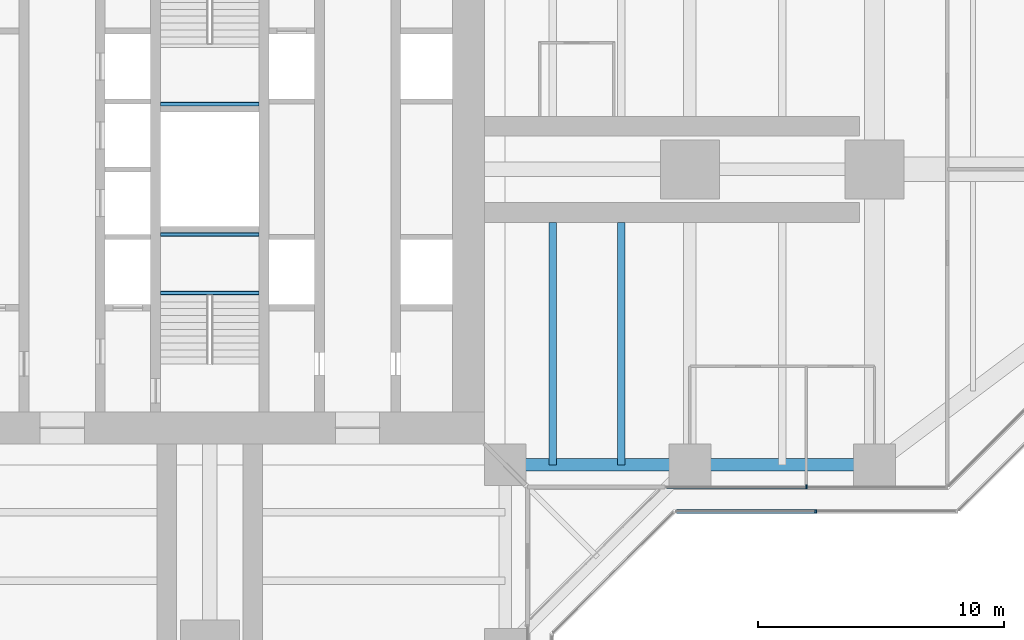
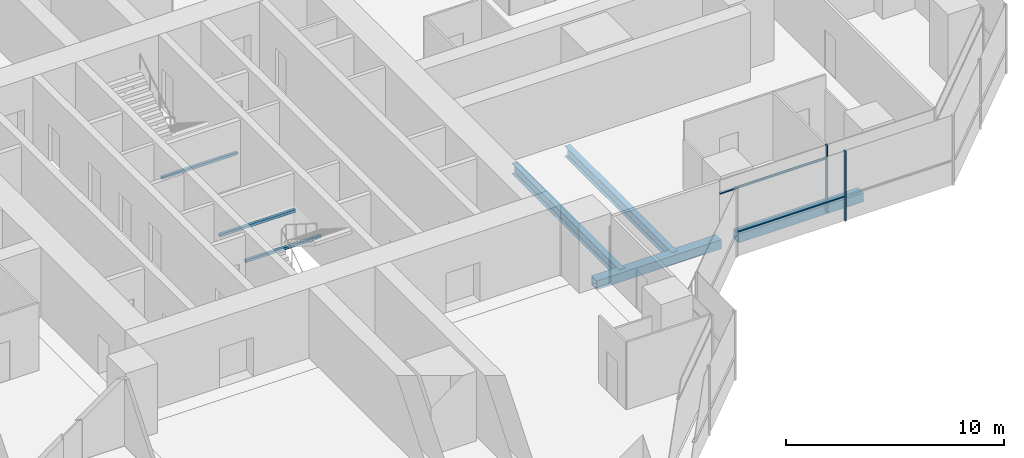
# One storey, part 5 of 20: 7 beams, 4 members, 2 elements without a shape of their own.
"""IFC4 building model written with IfcOpenShell, lengths in metres."""

from ifc_helpers import new_model, si_unit, direction, frame, origin, origin_2d, place, context, subcontext, project, spatial, rectangle, hollow_rectangle, i_section, extrude, material, material_profile, profile_set, type_object, element, aggregate, save


model = new_model("IFC4")

# Units and contexts
model_context = context("Model", 3, precision=1e-05, world=origin(), true_north=direction((0.0, 1.0)))
body_context = subcontext(model_context, "Body", "Model", "MODEL_VIEW")
ifc_project = project(units=[si_unit("LENGTHUNIT", "METRE"), si_unit("AREAUNIT", "SQUARE_METRE"), si_unit("VOLUMEUNIT", "CUBIC_METRE"), si_unit("PLANEANGLEUNIT", "RADIAN"), si_unit("MASSUNIT", "GRAM", prefix="KILO")], contexts=[model_context])

# Site, building, storey
site_placement = place(None, origin())
site = spatial("IfcSite", under=ifc_project, at=site_placement, CompositionType="ELEMENT")
building_placement = place(site_placement, origin())
building = spatial("IfcBuilding", under=site, at=building_placement, Name="Mizan Broadcast Tower", CompositionType="ELEMENT")
storey_placement = place(building_placement, frame((0.0, 0.0, 147.60009765625)))
storey = spatial("IfcBuildingStorey", under=building, at=storey_placement, Name="L33", CompositionType="ELEMENT", Elevation=147.60009765625)

# Beams
ifc_material_1 = material(Name="Steel S355", Category="steel")
ifc_material_profile_1 = material_profile(ifc_material_1, hollow_rectangle(XDim=0.5, YDim=0.5, WallThickness=0.030029296875, at=origin_2d()), Name="BOX 500x500x30")
ifc_profile_set_1 = profile_set([ifc_material_profile_1], Name="Steel S355")
beam_type_1 = type_object("IfcBeamType", Name="EDGE BEAM BOX 500x500x30", PredefinedType="SPANDREL", material=ifc_profile_set_1)
for number, where, z_axis, x_axis, name in (
    (1, (12.449951171875, -12.0, -0.380126953125), (1.0, 0.0, 0.0), (0.0, 1.0, 0.0), "Edge beam BOX 500x500x30 L33 east arm"),
    (2, (19.949951171875, -12.0, -0.380126953125), (1.0, 0.0, 0.0), (0.0, 1.0, 0.0), "Edge beam BOX 500x500x30 L33 east arm"),
):
    element("IfcBeam", number, at=place(storey_placement, frame(where, z_axis=z_axis, x_axis=x_axis)), inside=storey, type_object=beam_type_1, Name=name, PredefinedType="SPANDREL", context=body_context, shape_type="SweptSolid", body=[
        extrude(hollow_rectangle(XDim=0.5, YDim=0.5, WallThickness=0.030029296875, at=origin_2d()), origin(), (0.0, 0.0, 1.0), 6.60009765625),
    ])

# Curtain wall, members
ifc_material_2 = material(Name="Aluminium framed glazing", Category="aluminium")
curtain_wall_type_1 = type_object("IfcCurtainWallType", Name="INNER SKIN MID ZONE", PredefinedType="USERDEFINED", material=ifc_material_2)
curtain_wall_1_placement = place(storey_placement, origin())
curtain_wall_1 = element("IfcCurtainWall", 3, at=curtain_wall_1_placement, inside=storey, type_object=curtain_wall_type_1, Name="Inner skin mid zone L33 E side", ObjectType="INNER SKIN MID ZONE", PredefinedType="USERDEFINED")
ifc_material_3 = material(Name="Aluminium, pale anodised", Category="aluminium")
ifc_material_profile_2 = material_profile(ifc_material_3, rectangle(XDim=0.159912109375, YDim=0.06005859375, at=origin_2d()), Name="MULLION 160x60")
ifc_profile_set_2 = profile_set([ifc_material_profile_2], Name="Aluminium, pale anodised")
member_type_1 = type_object("IfcMemberType", Name="INNER SKIN MULLION 60x160", PredefinedType="MULLION", material=ifc_profile_set_2)
member_1_placement = place(storey_placement, frame((24.229248046875, -12.89990234375, 0.0), z_axis=(0.0, 0.0, 1.0), x_axis=(0.0, 1.0, 0.0)))
member_1 = element("IfcMember", 4, at=member_1_placement, type_object=member_type_1, Name="Inner skin mid zone L33 E side mullion 2", PredefinedType="MULLION", context=body_context, shape_type="SweptSolid", body=[
    extrude(rectangle(XDim=0.159912109375, YDim=0.06005859375, at=origin_2d()), origin(), (0.0, 0.0, 1.0), 3.77001953125),
])
ifc_material_4 = material(Name="Aluminium, pale anodised", Category="aluminium")
ifc_material_profile_3 = material_profile(ifc_material_4, rectangle(XDim=0.1201171875, YDim=0.06005859375, at=origin_2d()), Name="TRANSOM 120x60")
ifc_profile_set_3 = profile_set([ifc_material_profile_3], Name="Aluminium, pale anodised")
member_type_2 = type_object("IfcMemberType", Name="INNER SKIN TRANSOM 60x120", PredefinedType="USERDEFINED", material=ifc_profile_set_3)
member_2_placement = place(storey_placement, frame((18.56005859375, -12.89990234375, 3.02978515625), z_axis=(1.0, 0.0, 0.0), x_axis=(0.0, 1.0, 0.0)))
member_2 = element("IfcMember", 5, at=member_2_placement, type_object=member_type_2, Name="Inner skin mid zone L33 E side transom 1.1", ObjectType="TRANSOM", PredefinedType="USERDEFINED", context=body_context, shape_type="SweptSolid", body=[
    extrude(rectangle(XDim=0.1201171875, YDim=0.06005859375, at=origin_2d()), origin(), (0.0, 0.0, 1.0), 5.63916015625),
])
aggregate(curtain_wall_1, [member_1, member_2])

# Beams
ifc_material_5 = material(Name="Steel S355", Category="steel")
ifc_material_profile_4 = material_profile(ifc_material_5, hollow_rectangle(XDim=0.14990234375, YDim=0.14990234375, WallThickness=0.008056640625, InnerFilletRadius=0.008056640625, OuterFilletRadius=0.011962890625, at=origin_2d()), Name="SHS 150x150x8")
ifc_profile_set_4 = profile_set([ifc_material_profile_4], Name="Steel S355")
beam_type_2 = type_object("IfcBeamType", Name="LANDING TRIMMER SHS 150x150x8", PredefinedType="BEAM", material=ifc_profile_set_4)
for number, where, z_axis, x_axis, name in (
    (6, (-2.0, -5.02490234375, 1.6748046875), (1.0, 0.0, 0.0), (0.0, 1.0, 0.0), "Stair A landing trimmer L33"),
    (7, (-2.0, -2.64990234375, 1.6748046875), (1.0, 0.0, 0.0), (0.0, 1.0, 0.0), "Stair A landing trimmer L33"),
    (8, (2.0, 2.64990234375, 1.6748046875), (-1.0, 0.0, 0.0), (0.0, -1.0, 0.0), "Stair B landing trimmer L33"),
):
    element("IfcBeam", number, at=place(storey_placement, frame(where, z_axis=z_axis, x_axis=x_axis)), inside=storey, type_object=beam_type_2, Name=name, PredefinedType="BEAM", context=body_context, shape_type="SweptSolid", body=[
        extrude(hollow_rectangle(XDim=0.14990234375, YDim=0.14990234375, WallThickness=0.008056640625, InnerFilletRadius=0.008056640625, OuterFilletRadius=0.011962890625, at=origin_2d()), origin(), (0.0, 0.0, 1.0), 4.0),
    ])

# Curtain wall, members
ifc_material_6 = material(Name="Aluminium framed glazing", Category="aluminium")
curtain_wall_type_2 = type_object("IfcCurtainWallType", Name="OUTER SKIN", PredefinedType="USERDEFINED", material=ifc_material_6)
curtain_wall_2_placement = place(storey_placement, origin())
curtain_wall_2 = element("IfcCurtainWall", 9, at=curtain_wall_2_placement, inside=storey, type_object=curtain_wall_type_2, Name="Outer skin L33 E side", ObjectType="OUTER SKIN", PredefinedType="USERDEFINED")
ifc_material_7 = material(Name="Aluminium, pale anodised", Category="aluminium")
ifc_material_profile_5 = material_profile(ifc_material_7, rectangle(XDim=0.159912109375, YDim=0.080078125, at=origin_2d()), Name="MULLION 160x80")
ifc_profile_set_5 = profile_set([ifc_material_profile_5], Name="Aluminium, pale anodised")
member_type_3 = type_object("IfcMemberType", Name="OUTER SKIN MULLION 80x160", PredefinedType="MULLION", material=ifc_profile_set_5)
member_3_placement = place(storey_placement, frame((24.622802734375, -13.89990234375, 0.0), z_axis=(0.0, 0.0, 1.0), x_axis=(0.0, 1.0, 0.0)))
member_3 = element("IfcMember", 10, at=member_3_placement, type_object=member_type_3, Name="Outer skin L33 E side mullion 2", PredefinedType="MULLION", context=body_context, shape_type="SweptSolid", body=[
    extrude(rectangle(XDim=0.159912109375, YDim=0.080078125, at=origin_2d()), origin(), (0.0, 0.0, 1.0), 3.89990234375),
])
ifc_material_8 = material(Name="Aluminium, pale anodised", Category="aluminium")
ifc_material_profile_6 = material_profile(ifc_material_8, rectangle(XDim=0.159912109375, YDim=0.06005859375, at=origin_2d()), Name="TRANSOM 160x60")
ifc_profile_set_6 = profile_set([ifc_material_profile_6], Name="Aluminium, pale anodised")
member_type_4 = type_object("IfcMemberType", Name="OUTER SKIN TRANSOM 60x160", PredefinedType="USERDEFINED", material=ifc_profile_set_6)
member_4_placement = place(storey_placement, frame((18.952880859375, -13.89990234375, 1.39990234375), z_axis=(1.0, 0.0, 0.0), x_axis=(0.0, 1.0, 0.0)))
member_4 = element("IfcMember", 11, at=member_4_placement, type_object=member_type_4, Name="Outer skin L33 E side transom 1.1", ObjectType="TRANSOM", PredefinedType="USERDEFINED", context=body_context, shape_type="SweptSolid", body=[
    extrude(rectangle(XDim=0.159912109375, YDim=0.06005859375, at=origin_2d()), origin(), (0.0, 0.0, 1.0), 5.6298828125),
])
aggregate(curtain_wall_2, [member_3, member_4])

# Beams
ifc_material_9 = material(Name="Steel S355", Category="steel")
ifc_material_profile_7 = material_profile(ifc_material_9, i_section(OverallWidth=0.300048828125, OverallDepth=0.590087890625, WebThickness=0.012939453125, FlangeThickness=0.02490234375, FilletRadius=0.027099609375, at=origin_2d()), Name="HEA 600")
ifc_profile_set_7 = profile_set([ifc_material_profile_7], Name="Steel S355")
beam_type_3 = type_object("IfcBeamType", Name="SECONDARY BEAM HEA 600", PredefinedType="JOIST", material=ifc_profile_set_7)
for number, where, z_axis, x_axis, name in (
    (12, (13.933349609375, -12.0, -0.425048828125), (0.0, 1.0, 0.0), (-1.0, 0.0, 0.0), "Secondary beam HEA 600 L33 east arm"),
    (13, (16.716552734375, -12.0, -0.425048828125), (0.0, 1.0, 0.0), (-1.0, 0.0, 0.0), "Secondary beam HEA 600 L33 east arm"),
):
    element("IfcBeam", number, at=place(storey_placement, frame(where, z_axis=z_axis, x_axis=x_axis)), inside=storey, type_object=beam_type_3, Name=name, PredefinedType="JOIST", context=body_context, shape_type="SweptSolid", body=[
        extrude(i_section(OverallWidth=0.300048828125, OverallDepth=0.590087890625, WebThickness=0.012939453125, FlangeThickness=0.02490234375, FilletRadius=0.027099609375, at=origin_2d()), origin(), (0.0, 0.0, 1.0), 9.85009765625),
    ])

save(model, "model.ifc")
